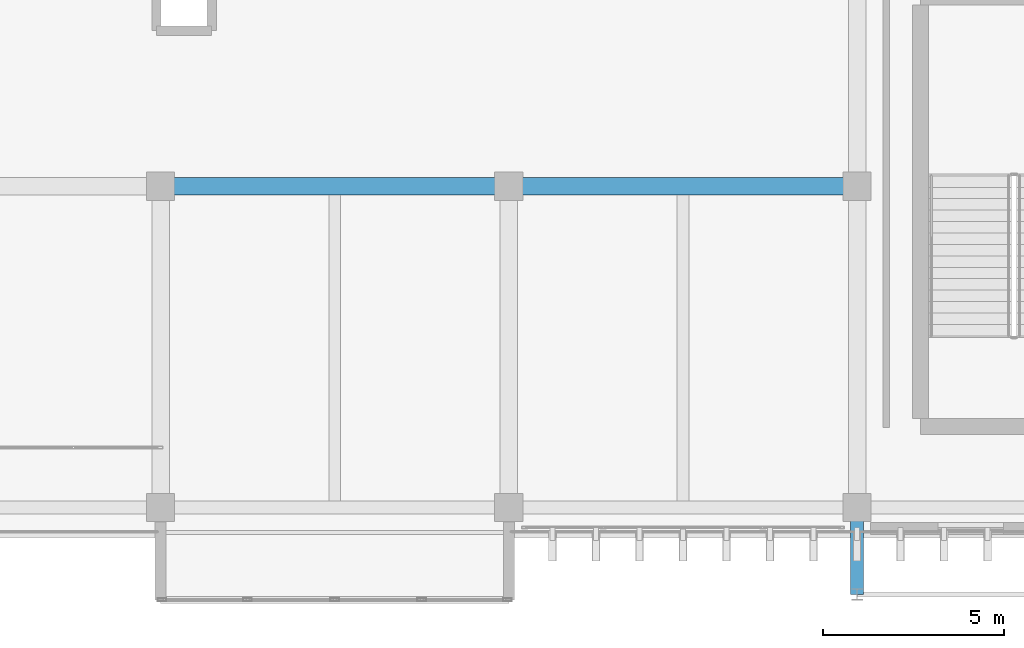
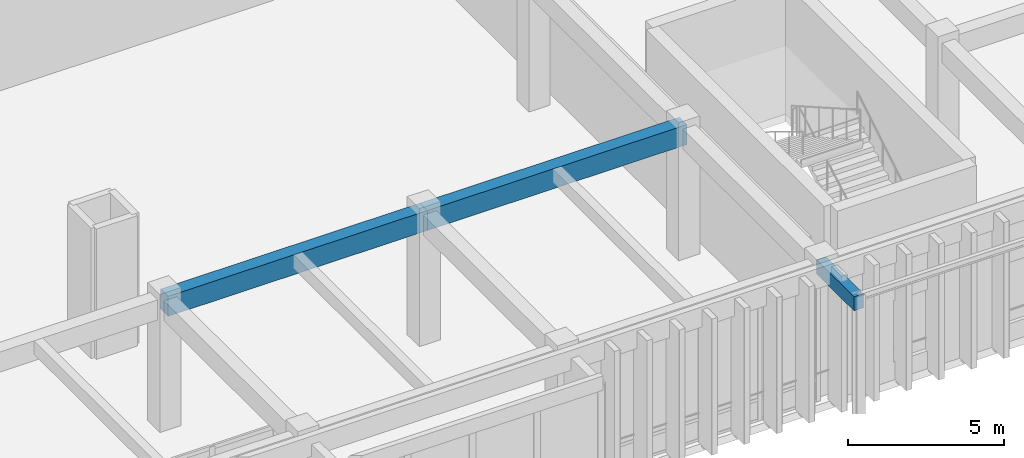
# One storey, part 20 of 134: 3 beams.
"""IFC4 building model written with IfcOpenShell, lengths in metres."""

import ifcopenshell
import ifcopenshell.guid

model = None  # the IFC model being written
_history = None  # IfcOwnerHistory: only IFC2X3 demands one
_inside = {}  # id of a spatial element -> (the spatial element, [elements in it])
_under = {}  # id of a project, library or spatial element -> (it, [spatial elements below it])
_declared = {}  # id of a project -> (the project, [libraries it declares])
_typed = {}  # id of a type object -> (the type object, [elements of that type])
_made_of = {}  # id of a material, layer set ... -> (it, [elements and type objects made of it])


def new_model(schema):
    """Start an empty IFC model of exactly this schema.

    Asked for "IFC4X3", IfcOpenShell would pick the latest addendum, in which some entities
    have other attributes; the version numbers below select the first issue.
    IFC2X3 requires an IfcOwnerHistory on every rooted entity: one is made here for all.
    """
    global model, _history
    if schema == "IFC4X3":
        model = ifcopenshell.file(schema_version=(4, 3, 0, 0))
    else:
        model = ifcopenshell.file(schema=schema)
    _inside.clear()
    _under.clear()
    _declared.clear()
    _typed.clear()
    _made_of.clear()
    _history = None
    if model.schema == "IFC2X3":
        org = make("IfcOrganization", Name="unknown")
        user = make(
            "IfcPersonAndOrganization",
            ThePerson=make("IfcPerson", FamilyName="unknown"),
            TheOrganization=org,
        )
        app = make(
            "IfcApplication",
            ApplicationDeveloper=org,
            Version="unknown",
            ApplicationFullName="unknown",
            ApplicationIdentifier="unknown",
        )
        _history = make(
            "IfcOwnerHistory",
            OwningUser=user,
            OwningApplication=app,
            ChangeAction="ADDED",
            CreationDate=0,
        )
    return model


def make(cls, **values):
    """One entity of the class cls with the attributes given. An attribute that is None is left unset."""
    return model.create_entity(
        cls, **{name: value for name, value in values.items() if value is not None}
    )


def rooted(cls, **values):
    """An entity with a GlobalId (a new one), such as an element, a storey or a relation."""
    return make(cls, GlobalId=ifcopenshell.guid.new(), OwnerHistory=_history, **values)


def si_unit(unit_type, name, prefix=None):
    """IfcSIUnit, for example si_unit("LENGTHUNIT", "METRE", prefix="MILLI")."""
    return make("IfcSIUnit", UnitType=unit_type, Prefix=prefix, Name=name)


def assignment(units):
    """IfcUnitAssignment: the units of a project."""
    return None if units is None else make("IfcUnitAssignment", Units=units)


def point(xyz):
    """IfcCartesianPoint."""
    return None if xyz is None else make("IfcCartesianPoint", Coordinates=xyz)


def direction(xyz):
    """IfcDirection."""
    return None if xyz is None else make("IfcDirection", DirectionRatios=xyz)


def frame(location, z_axis=None, x_axis=None):
    """IfcAxis2Placement3D, a coordinate frame: its origin and axes. An axis left out is left unset."""
    return make(
        "IfcAxis2Placement3D",
        Location=point(location),
        Axis=direction(z_axis),
        RefDirection=direction(x_axis),
    )


def frame_2d(location, x_axis=None):
    """IfcAxis2Placement2D, a coordinate frame in the plane: its origin and x axis."""
    return make(
        "IfcAxis2Placement2D", Location=point(location), RefDirection=direction(x_axis)
    )


def origin():
    """The frame at (0, 0, 0) with its axes left unset."""
    return frame((0.0, 0.0, 0.0))


def origin_2d():
    """The frame at (0, 0) in the plane with its x axis left unset."""
    return frame_2d((0.0, 0.0))


def place(relative_to, where):
    """IfcLocalPlacement: puts the frame where relative to a parent placement (None: the world)."""
    return make(
        "IfcLocalPlacement", PlacementRelTo=relative_to, RelativePlacement=where
    )


def context(
    kind, dimensions, precision=None, world=None, true_north=None, identifier=None
):
    """IfcGeometricRepresentationContext, for example the 3D "Model" context."""
    return make(
        "IfcGeometricRepresentationContext",
        ContextIdentifier=identifier,
        ContextType=kind,
        CoordinateSpaceDimension=dimensions,
        Precision=precision,
        WorldCoordinateSystem=world,
        TrueNorth=true_north,
    )


def subcontext(parent, identifier, kind, view, scale=None):
    """IfcGeometricRepresentationSubContext, for example "Body" below "Model"."""
    return make(
        "IfcGeometricRepresentationSubContext",
        ContextIdentifier=identifier,
        ContextType=kind,
        ParentContext=parent,
        TargetScale=scale,
        TargetView=view,
    )


def project(units=None, contexts=None):
    """IfcProject with its units and contexts."""
    return rooted(
        "IfcProject",
        Name="project",
        RepresentationContexts=contexts,
        UnitsInContext=assignment(units),
    )


def spatial(cls, under=None, at=None, **own):
    """A site, building, storey or space (cls), placed at a placement, below another one or the project."""
    s = rooted(cls, ObjectPlacement=at, **own)
    if under is not None:
        _under.setdefault(under.id(), (under, []))[1].append(s)
    return s


def profile(cls, at=None, kind="AREA", **sizes):
    """A parametric profile (cls). Its sizes go by their IFC names, for example OverallWidth=200.0."""
    return make(cls, ProfileType=kind, Position=at, **sizes)


def rectangle(**sizes):
    """IfcRectangleProfileDef."""
    return profile("IfcRectangleProfileDef", **sizes)


def extrude(swept, where, along, depth):
    """IfcExtrudedAreaSolid: the profile swept, set in the frame where, extruded along a direction by depth."""
    return make(
        "IfcExtrudedAreaSolid",
        SweptArea=swept,
        Position=where,
        ExtrudedDirection=direction(along),
        Depth=depth,
    )


def shape(context_of_items, identifier, shape_type, items):
    """IfcShapeRepresentation: the items that make up one representation, for example the "Body"."""
    return make(
        "IfcShapeRepresentation",
        ContextOfItems=context_of_items,
        RepresentationIdentifier=identifier,
        RepresentationType=shape_type,
        Items=items,
    )


def material(Name=None, Category=None):
    """IfcMaterial."""
    return make("IfcMaterial", Name=Name, Category=Category)


def material_profile(
    of_material, cross_section, Name=None, Category=None, Priority=None
):
    """IfcMaterialProfile: a cross section and its material."""
    return make(
        "IfcMaterialProfile",
        Name=Name,
        Material=of_material,
        Profile=cross_section,
        Priority=Priority,
        Category=Category,
    )


def profile_set(profiles, Name=None, composite=None):
    """IfcMaterialProfileSet."""
    return make(
        "IfcMaterialProfileSet",
        Name=Name,
        MaterialProfiles=profiles,
        CompositeProfile=composite,
    )


def made_of(thing, what):
    """Note that an element or type object is made of a material, layer set ...; save() writes the relation."""
    if what is not None:
        _made_of.setdefault(what.id(), (what, []))[1].append(thing)
    return thing


def type_object(cls, material=None, **own):
    """A type object (cls), such as IfcWallType, which elements share."""
    return made_of(rooted(cls, **own), material)


def element(
    cls,
    number,
    at=None,
    inside=None,
    cuts=None,
    type_object=None,
    material=None,
    context=None,
    identifier="Body",
    shape_type=None,
    held_by="IfcProductDefinitionShape",
    body=None,
    shapes=None,
    **own,
):
    """One element of the class cls, such as IfcWall. Its Tag is "e" and its number.

    at: its placement. inside: the storey or other place that contains it. cuts: it is an
    opening in that element (IfcRelVoidsElement). A single representation is given by context,
    identifier, shape_type and body (its items); several are given by shapes. held_by: the class
    of the entity that holds the representations. save() writes the other relations.
    """
    e = rooted(cls, Tag="e%d" % number, ObjectPlacement=at, **own)
    if body is not None:
        shapes = [shape(context, identifier, shape_type, body)]
    if shapes is not None:
        e.Representation = make(held_by, Representations=shapes)
    if inside is not None:
        _inside.setdefault(inside.id(), (inside, []))[1].append(e)
    if cuts is not None:
        rooted(
            "IfcRelVoidsElement", RelatingBuildingElement=cuts, RelatedOpeningElement=e
        )
    if type_object is not None:
        _typed.setdefault(type_object.id(), (type_object, []))[1].append(e)
    return made_of(e, material)


def aggregate(whole, parts):
    """IfcRelAggregates: a whole, such as a stair, and the parts it consists of."""
    return rooted("IfcRelAggregates", RelatingObject=whole, RelatedObjects=parts)


def save(model, path):
    """Write the relations noted so far, then the file.

    IfcRelAggregates (storeys below a building ...), IfcRelContainedInSpatialStructure (elements
    in a storey), IfcRelDefinesByType, IfcRelAssociatesMaterial and IfcRelDeclares: one each for
    every whole, place, type object, material and project.
    """
    for whole, parts in _under.values():
        aggregate(whole, parts)
    for where, things in _inside.values():
        rooted(
            "IfcRelContainedInSpatialStructure",
            RelatedElements=things,
            RelatingStructure=where,
        )
    for kind, things in _typed.values():
        rooted("IfcRelDefinesByType", RelatedObjects=things, RelatingType=kind)
    for what, things in _made_of.values():
        rooted("IfcRelAssociatesMaterial", RelatedObjects=things, RelatingMaterial=what)
    for by, libraries in _declared.values():
        rooted("IfcRelDeclares", RelatingContext=by, RelatedDefinitions=libraries)
    model.write(path)


model = new_model("IFC4")

# Units and contexts
model_context = context("Model", 3, precision=1e-05, world=origin(), true_north=direction((0.0, 1.0)))
body_context = subcontext(model_context, "Body", "Model", "MODEL_VIEW")
ifc_project = project(units=[si_unit("LENGTHUNIT", "METRE"), si_unit("AREAUNIT", "SQUARE_METRE"), si_unit("VOLUMEUNIT", "CUBIC_METRE"), si_unit("PLANEANGLEUNIT", "RADIAN"), si_unit("MASSUNIT", "GRAM", prefix="KILO")], contexts=[model_context])

# Site, building, storey
site_placement = place(None, origin())
site = spatial("IfcSite", under=ifc_project, at=site_placement, CompositionType="ELEMENT")
building_placement = place(site_placement, origin())
building = spatial("IfcBuilding", under=site, at=building_placement, Name="Nakhvara Creek Congress Hotel", CompositionType="ELEMENT")
storey_placement = place(building_placement, frame((0.0, 0.0, 6.0)))
storey = spatial("IfcBuildingStorey", under=building, at=storey_placement, Name="L01", CompositionType="ELEMENT", Elevation=6.0)

# Beams
ifc_material = material(Name="Concrete C40/50", Category="concrete")
ifc_material_profile_1 = material_profile(ifc_material, rectangle(XDim=0.35009765625, YDim=0.550048828125, at=origin_2d()), Name="RC-BM 350x550", Category="LoadBearing")
ifc_profile_set_1 = profile_set([ifc_material_profile_1], Name="Concrete C40/50")
beam_type_1 = type_object("IfcBeamType", Name="BM-CANT-BOX", PredefinedType="BEAM", material=ifc_profile_set_1)
beam_1_placement = place(storey_placement, frame((115.199951171875, 0.75, 4.824951171875), z_axis=(0.0, -1.0, 0.0), x_axis=(1.0, 0.0, 0.0)))
element("IfcBeam", 1, at=beam_1_placement, inside=storey, type_object=beam_type_1, Name="Foyer Box Outrigger Beam PBOX-L02-S1-115", PredefinedType="BEAM", context=body_context, shape_type="SweptSolid", body=[
    extrude(rectangle(XDim=0.35009765625, YDim=0.550048828125, at=origin_2d()), origin(), (0.0, 0.0, 1.0), 2.39990234375),
])
ifc_material_profile_2 = material_profile(ifc_material, rectangle(XDim=0.47998046875, YDim=0.780029296875, at=origin_2d()), Name="RC-BM 480x780", Category="LoadBearing")
ifc_profile_set_2 = profile_set([ifc_material_profile_2], Name="Concrete C40/50")
beam_type_2 = type_object("IfcBeamType", Name="BM-RC-480X780", PredefinedType="BEAM", material=ifc_profile_set_2)
beam_2_placement = place(storey_placement, frame((96.0, 9.60009765625, 4.7099609375), z_axis=(1.0, 0.0, 0.0), x_axis=(0.0, 1.0, 0.0)))
element("IfcBeam", 2, at=beam_2_placement, inside=storey, type_object=beam_type_2, Name="Beam B13-L01-1179", PredefinedType="BEAM", context=body_context, shape_type="SweptSolid", body=[
    extrude(rectangle(XDim=0.47998046875, YDim=0.780029296875, at=origin_2d()), origin(), (0.0, 0.0, 1.0), 9.60009765625),
])
beam_3_placement = place(storey_placement, frame((105.60009765625, 9.60009765625, 4.7099609375), z_axis=(1.0, 0.0, 0.0), x_axis=(0.0, 1.0, 0.0)))
element("IfcBeam", 3, at=beam_3_placement, inside=storey, type_object=beam_type_2, Name="Beam B13-L01-1192", PredefinedType="BEAM", context=body_context, shape_type="SweptSolid", body=[
    extrude(rectangle(XDim=0.47998046875, YDim=0.780029296875, at=origin_2d()), origin(), (0.0, 0.0, 1.0), 9.599853515625),
])

save(model, "model.ifc")
